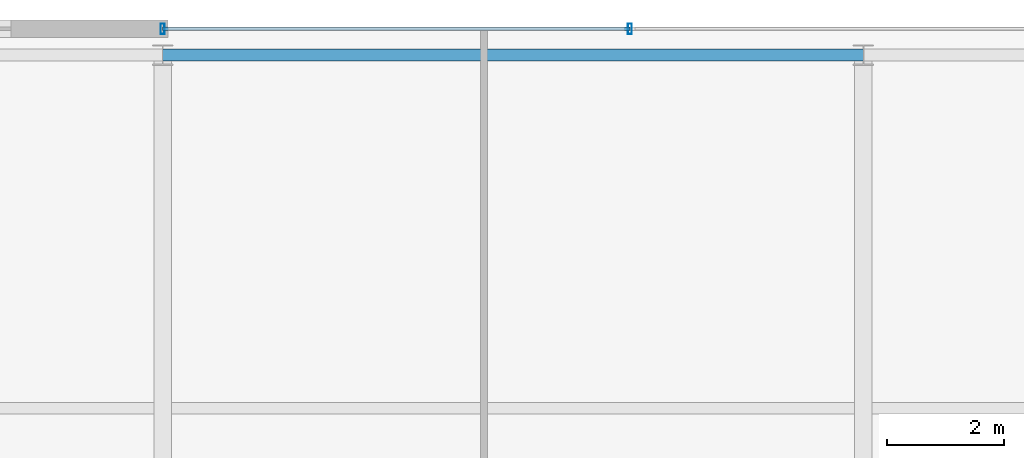
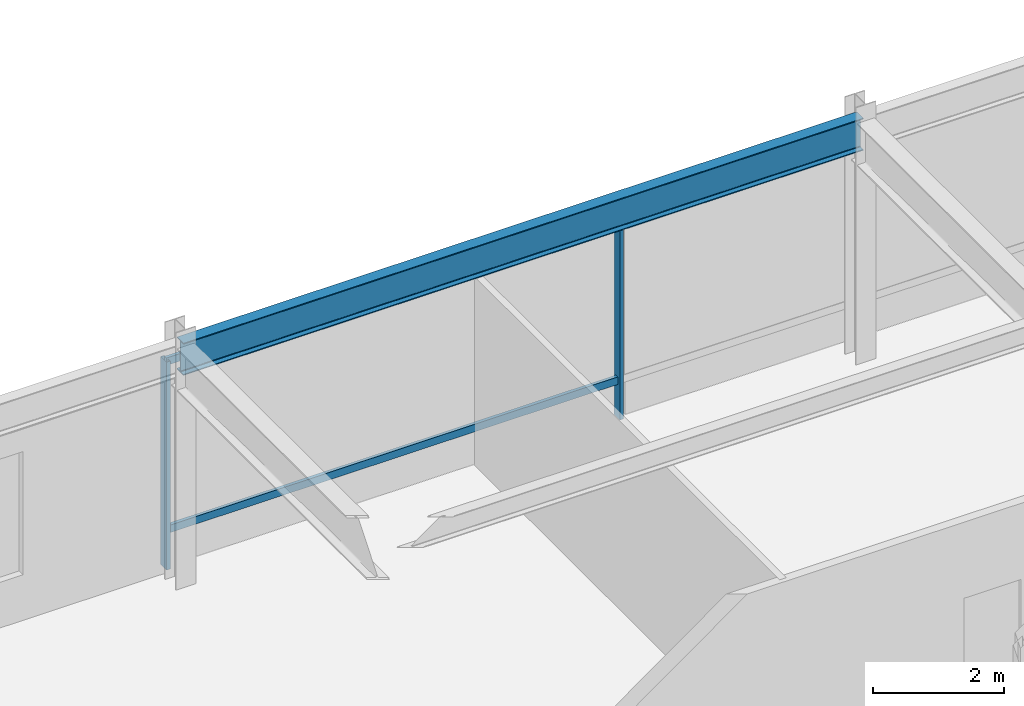
# One storey, part 10 of 22: 4 members, 1 beam, 1 element without a shape of its own.
"""IFC4 building model written with IfcOpenShell, lengths in metres."""

from ifc_helpers import new_model, si_unit, direction, frame, origin, origin_2d, place, context, subcontext, project, spatial, hollow_rectangle, i_section, extrude, material, layer, layer_set, material_profile, profile_set, type_object, element, aggregate, save


model = new_model("IFC4")

# Units and contexts
model_context = context("Model", 3, precision=1e-05, world=origin(), true_north=direction((0.0, 1.0)))
body_context = subcontext(model_context, "Body", "Model", "MODEL_VIEW")
ifc_project = project(units=[si_unit("LENGTHUNIT", "METRE"), si_unit("AREAUNIT", "SQUARE_METRE"), si_unit("VOLUMEUNIT", "CUBIC_METRE"), si_unit("PLANEANGLEUNIT", "RADIAN"), si_unit("MASSUNIT", "GRAM", prefix="KILO")], contexts=[model_context])

# Site, building, storey
site_placement = place(None, origin())
site = spatial("IfcSite", under=ifc_project, at=site_placement, CompositionType="ELEMENT")
building_placement = place(site_placement, origin())
building = spatial("IfcBuilding", under=site, at=building_placement, Name="Veldorina Hangang Commons", CompositionType="ELEMENT")
storey_placement = place(building_placement, frame((0.0, 0.0, 14.800048828125)))
storey = spatial("IfcBuildingStorey", under=building, at=storey_placement, Name="L03", CompositionType="ELEMENT", Elevation=14.800048828125)

# Beam
ifc_material_1 = material(Name="Steel SM420-TMC", Category="steel")
ifc_material_profile_1 = material_profile(ifc_material_1, i_section(OverallWidth=0.199951171875, OverallDepth=0.60009765625, WebThickness=0.010986328125, FlangeThickness=0.01708984375, FilletRadius=0.01806640625, at=origin_2d()), Name="H-600x200x11x17")
ifc_profile_set_1 = profile_set([ifc_material_profile_1], Name="Steel SM420-TMC")
beam_type = type_object("IfcBeamType", Name="BM-SPN600", PredefinedType="SPANDREL", material=ifc_profile_set_1)
beam_placement = place(storey_placement, frame((20.0, 44.550048828125, 4.199951171875), z_axis=(1.0, 0.0, 0.0), x_axis=(0.0, 1.0, 0.0)))
element("IfcBeam", 1, at=beam_placement, inside=storey, type_object=beam_type, Name="L03 north spandrel beam 3", PredefinedType="SPANDREL", context=body_context, shape_type="SweptSolid", body=[
    extrude(i_section(OverallWidth=0.199951171875, OverallDepth=0.60009765625, WebThickness=0.010986328125, FlangeThickness=0.01708984375, FilletRadius=0.01806640625, at=origin_2d()), origin(), (0.0, 0.0, 1.0), 12.0),
])

# Curtain wall, members
ifc_material_2 = material(Name="Glass Low-E Triple IGU", Category="glass")
ifc_layer = layer(ifc_material_2, 0.179931640625)
ifc_layer_set = layer_set([ifc_layer], Name="Glass Low-E Triple IGU")
curtain_wall_type = type_object("IfcCurtainWallType", Name="CW-SYS-POD", PredefinedType="NOTDEFINED", material=ifc_layer_set)
curtain_wall_placement = place(storey_placement, origin())
curtain_wall = element("IfcCurtainWall", 2, at=curtain_wall_placement, inside=storey, type_object=curtain_wall_type, Name="L03 unitised curtain wall CW-L03-N-CTR", PredefinedType="NOTDEFINED")
ifc_material_3 = material(Name="Aluminium Anodized AA6063-T6", Category="aluminium")
ifc_material_profile_2 = material_profile(ifc_material_3, hollow_rectangle(XDim=0.070068359375, YDim=0.179931640625, WallThickness=0.00390625, at=origin_2d()), Name="ALU-RHS-180x70x4")
ifc_profile_set_2 = profile_set([ifc_material_profile_2], Name="Aluminium Anodized AA6063-T6")
member_type_1 = type_object("IfcMemberType", Name="CW-MUL-180", PredefinedType="MULLION", material=ifc_profile_set_2)
member_1_placement = place(storey_placement, frame((28.0, 45.0, 0.0), z_axis=(0.0, 0.0, 1.0), x_axis=(-1.0, 0.0, 0.0)))
member_1 = element("IfcMember", 3, at=member_1_placement, type_object=member_type_1, Name="CW-L03-N-CTR vertical mullion 2", PredefinedType="MULLION", context=body_context, shape_type="SweptSolid", body=[
    extrude(hollow_rectangle(XDim=0.070068359375, YDim=0.179931640625, WallThickness=0.00390625, at=origin_2d()), origin(), (0.0, 0.0, 1.0), 3.8798828125),
])
member_2_placement = place(storey_placement, frame((20.0, 45.0, 0.0), z_axis=(0.0, 0.0, 1.0), x_axis=(1.0, 0.0, 0.0)))
member_2 = element("IfcMember", 4, at=member_2_placement, type_object=member_type_1, Name="CW-L03-N-CTR vertical mullion 3", PredefinedType="MULLION", context=body_context, shape_type="SweptSolid", body=[
    extrude(hollow_rectangle(XDim=0.070068359375, YDim=0.179931640625, WallThickness=0.00390625, at=origin_2d()), origin(), (0.0, 0.0, 1.0), 3.8798828125),
])
ifc_material_profile_3 = material_profile(ifc_material_3, hollow_rectangle(XDim=0.06005859375, YDim=0.139892578125, WallThickness=0.00341796875, at=origin_2d()), Name="ALU-RHS-140x60x3.5")
ifc_profile_set_3 = profile_set([ifc_material_profile_3], Name="Aluminium Anodized AA6063-T6")
member_type_2 = type_object("IfcMemberType", Name="CW-TRN-140", PredefinedType="USERDEFINED", material=ifc_profile_set_3)
member_3_placement = place(storey_placement, frame((28.0, 45.0, 0.699951171875), z_axis=(-1.0, 0.0, 0.0), x_axis=(0.0, -1.0, 0.0)))
member_3 = element("IfcMember", 5, at=member_3_placement, type_object=member_type_2, Name="CW-L03-N-CTR facet 3 transom 1", ObjectType="TRANSOM", PredefinedType="USERDEFINED", context=body_context, shape_type="SweptSolid", body=[
    extrude(hollow_rectangle(XDim=0.06005859375, YDim=0.139892578125, WallThickness=0.00341796875, at=origin_2d()), origin(), (0.0, 0.0, 1.0), 8.0),
])
member_4_placement = place(storey_placement, frame((28.0, 45.0, 3.83984375), z_axis=(-1.0, 0.0, 0.0), x_axis=(0.0, -1.0, 0.0)))
member_4 = element("IfcMember", 6, at=member_4_placement, type_object=member_type_2, Name="CW-L03-N-CTR facet 3 transom 2", ObjectType="TRANSOM", PredefinedType="USERDEFINED", context=body_context, shape_type="SweptSolid", body=[
    extrude(hollow_rectangle(XDim=0.06005859375, YDim=0.139892578125, WallThickness=0.00341796875, at=origin_2d()), origin(), (0.0, 0.0, 1.0), 8.0),
])
aggregate(curtain_wall, [member_1, member_2, member_3, member_4])

save(model, "model.ifc")
